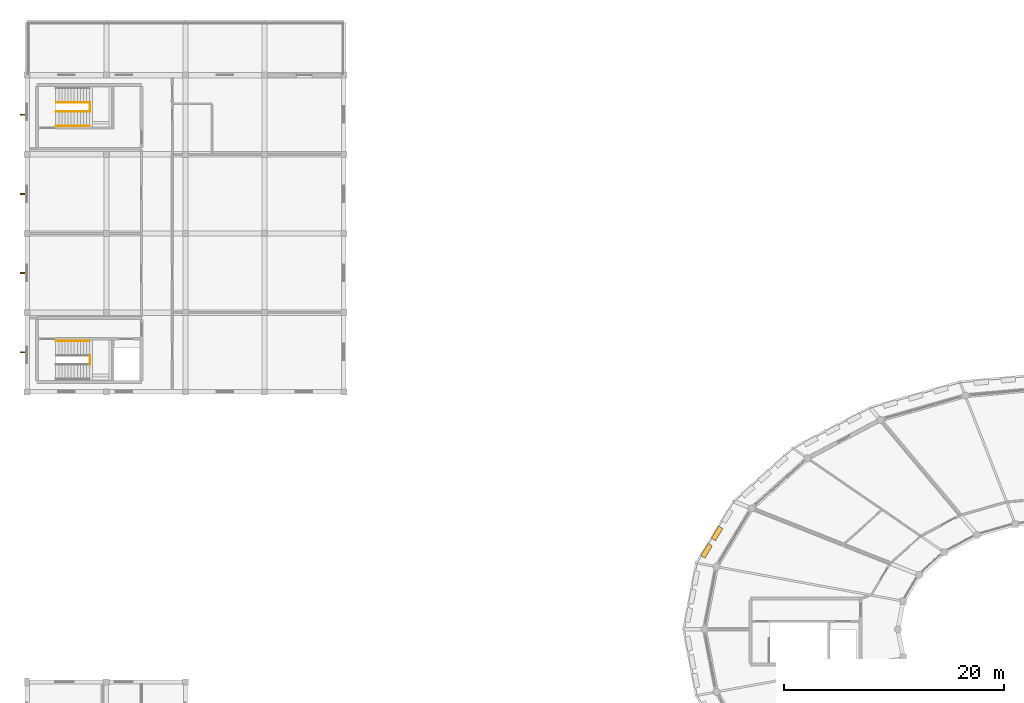
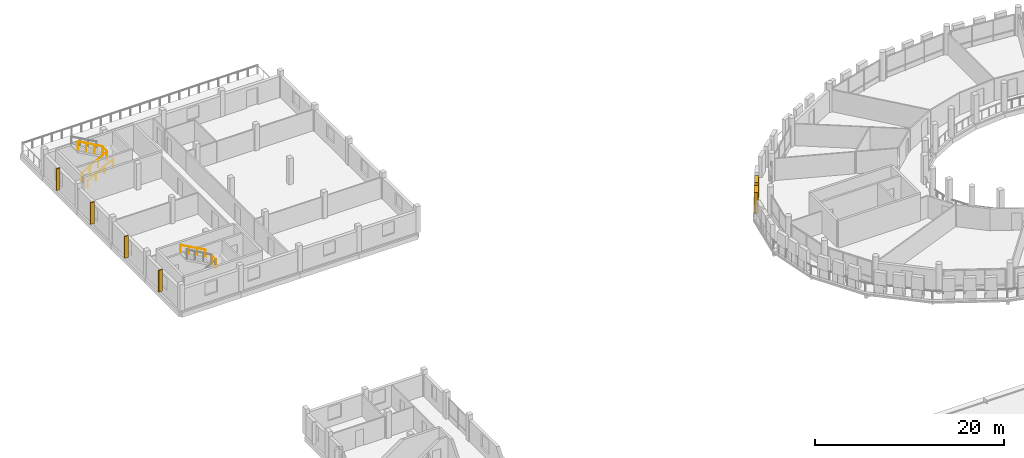
# One storey, part 82 of 84: 6 railings, 6 shading devices.
"""IFC4 building model written with IfcOpenShell, lengths in metres."""

import ifcopenshell
import ifcopenshell.guid

model = None  # the IFC model being written
_history = None  # IfcOwnerHistory: only IFC2X3 demands one
_inside = {}  # id of a spatial element -> (the spatial element, [elements in it])
_under = {}  # id of a project, library or spatial element -> (it, [spatial elements below it])
_declared = {}  # id of a project -> (the project, [libraries it declares])
_typed = {}  # id of a type object -> (the type object, [elements of that type])
_made_of = {}  # id of a material, layer set ... -> (it, [elements and type objects made of it])


def new_model(schema):
    """Start an empty IFC model of exactly this schema.

    Asked for "IFC4X3", IfcOpenShell would pick the latest addendum, in which some entities
    have other attributes; the version numbers below select the first issue.
    IFC2X3 requires an IfcOwnerHistory on every rooted entity: one is made here for all.
    """
    global model, _history
    if schema == "IFC4X3":
        model = ifcopenshell.file(schema_version=(4, 3, 0, 0))
    else:
        model = ifcopenshell.file(schema=schema)
    _inside.clear()
    _under.clear()
    _declared.clear()
    _typed.clear()
    _made_of.clear()
    _history = None
    if model.schema == "IFC2X3":
        org = make("IfcOrganization", Name="unknown")
        user = make(
            "IfcPersonAndOrganization",
            ThePerson=make("IfcPerson", FamilyName="unknown"),
            TheOrganization=org,
        )
        app = make(
            "IfcApplication",
            ApplicationDeveloper=org,
            Version="unknown",
            ApplicationFullName="unknown",
            ApplicationIdentifier="unknown",
        )
        _history = make(
            "IfcOwnerHistory",
            OwningUser=user,
            OwningApplication=app,
            ChangeAction="ADDED",
            CreationDate=0,
        )
    return model


def make(cls, **values):
    """One entity of the class cls with the attributes given. An attribute that is None is left unset."""
    return model.create_entity(
        cls, **{name: value for name, value in values.items() if value is not None}
    )


def rooted(cls, **values):
    """An entity with a GlobalId (a new one), such as an element, a storey or a relation."""
    return make(cls, GlobalId=ifcopenshell.guid.new(), OwnerHistory=_history, **values)


def si_unit(unit_type, name, prefix=None):
    """IfcSIUnit, for example si_unit("LENGTHUNIT", "METRE", prefix="MILLI")."""
    return make("IfcSIUnit", UnitType=unit_type, Prefix=prefix, Name=name)


def assignment(units):
    """IfcUnitAssignment: the units of a project."""
    return None if units is None else make("IfcUnitAssignment", Units=units)


def point(xyz):
    """IfcCartesianPoint."""
    return None if xyz is None else make("IfcCartesianPoint", Coordinates=xyz)


def direction(xyz):
    """IfcDirection."""
    return None if xyz is None else make("IfcDirection", DirectionRatios=xyz)


def frame(location, z_axis=None, x_axis=None):
    """IfcAxis2Placement3D, a coordinate frame: its origin and axes. An axis left out is left unset."""
    return make(
        "IfcAxis2Placement3D",
        Location=point(location),
        Axis=direction(z_axis),
        RefDirection=direction(x_axis),
    )


def frame_2d(location, x_axis=None):
    """IfcAxis2Placement2D, a coordinate frame in the plane: its origin and x axis."""
    return make(
        "IfcAxis2Placement2D", Location=point(location), RefDirection=direction(x_axis)
    )


def origin():
    """The frame at (0, 0, 0) with its axes left unset."""
    return frame((0.0, 0.0, 0.0))


def origin_2d():
    """The frame at (0, 0) in the plane with its x axis left unset."""
    return frame_2d((0.0, 0.0))


def place(relative_to, where):
    """IfcLocalPlacement: puts the frame where relative to a parent placement (None: the world)."""
    return make(
        "IfcLocalPlacement", PlacementRelTo=relative_to, RelativePlacement=where
    )


def context(
    kind, dimensions, precision=None, world=None, true_north=None, identifier=None
):
    """IfcGeometricRepresentationContext, for example the 3D "Model" context."""
    return make(
        "IfcGeometricRepresentationContext",
        ContextIdentifier=identifier,
        ContextType=kind,
        CoordinateSpaceDimension=dimensions,
        Precision=precision,
        WorldCoordinateSystem=world,
        TrueNorth=true_north,
    )


def subcontext(parent, identifier, kind, view, scale=None):
    """IfcGeometricRepresentationSubContext, for example "Body" below "Model"."""
    return make(
        "IfcGeometricRepresentationSubContext",
        ContextIdentifier=identifier,
        ContextType=kind,
        ParentContext=parent,
        TargetScale=scale,
        TargetView=view,
    )


def project(units=None, contexts=None):
    """IfcProject with its units and contexts."""
    return rooted(
        "IfcProject",
        Name="project",
        RepresentationContexts=contexts,
        UnitsInContext=assignment(units),
    )


def spatial(cls, under=None, at=None, **own):
    """A site, building, storey or space (cls), placed at a placement, below another one or the project."""
    s = rooted(cls, ObjectPlacement=at, **own)
    if under is not None:
        _under.setdefault(under.id(), (under, []))[1].append(s)
    return s


def profile(cls, at=None, kind="AREA", **sizes):
    """A parametric profile (cls). Its sizes go by their IFC names, for example OverallWidth=200.0."""
    return make(cls, ProfileType=kind, Position=at, **sizes)


def rectangle(**sizes):
    """IfcRectangleProfileDef."""
    return profile("IfcRectangleProfileDef", **sizes)


def circle(**sizes):
    """IfcCircleProfileDef."""
    return profile("IfcCircleProfileDef", **sizes)


def extrude(swept, where, along, depth):
    """IfcExtrudedAreaSolid: the profile swept, set in the frame where, extruded along a direction by depth."""
    return make(
        "IfcExtrudedAreaSolid",
        SweptArea=swept,
        Position=where,
        ExtrudedDirection=direction(along),
        Depth=depth,
    )


def shape(context_of_items, identifier, shape_type, items):
    """IfcShapeRepresentation: the items that make up one representation, for example the "Body"."""
    return make(
        "IfcShapeRepresentation",
        ContextOfItems=context_of_items,
        RepresentationIdentifier=identifier,
        RepresentationType=shape_type,
        Items=items,
    )


def material(Name=None, Category=None):
    """IfcMaterial."""
    return make("IfcMaterial", Name=Name, Category=Category)


def made_of(thing, what):
    """Note that an element or type object is made of a material, layer set ...; save() writes the relation."""
    if what is not None:
        _made_of.setdefault(what.id(), (what, []))[1].append(thing)
    return thing


def type_object(cls, material=None, **own):
    """A type object (cls), such as IfcWallType, which elements share."""
    return made_of(rooted(cls, **own), material)


def element(
    cls,
    number,
    at=None,
    inside=None,
    cuts=None,
    type_object=None,
    material=None,
    context=None,
    identifier="Body",
    shape_type=None,
    held_by="IfcProductDefinitionShape",
    body=None,
    shapes=None,
    **own,
):
    """One element of the class cls, such as IfcWall. Its Tag is "e" and its number.

    at: its placement. inside: the storey or other place that contains it. cuts: it is an
    opening in that element (IfcRelVoidsElement). A single representation is given by context,
    identifier, shape_type and body (its items); several are given by shapes. held_by: the class
    of the entity that holds the representations. save() writes the other relations.
    """
    e = rooted(cls, Tag="e%d" % number, ObjectPlacement=at, **own)
    if body is not None:
        shapes = [shape(context, identifier, shape_type, body)]
    if shapes is not None:
        e.Representation = make(held_by, Representations=shapes)
    if inside is not None:
        _inside.setdefault(inside.id(), (inside, []))[1].append(e)
    if cuts is not None:
        rooted(
            "IfcRelVoidsElement", RelatingBuildingElement=cuts, RelatedOpeningElement=e
        )
    if type_object is not None:
        _typed.setdefault(type_object.id(), (type_object, []))[1].append(e)
    return made_of(e, material)


def aggregate(whole, parts):
    """IfcRelAggregates: a whole, such as a stair, and the parts it consists of."""
    return rooted("IfcRelAggregates", RelatingObject=whole, RelatedObjects=parts)


def save(model, path):
    """Write the relations noted so far, then the file.

    IfcRelAggregates (storeys below a building ...), IfcRelContainedInSpatialStructure (elements
    in a storey), IfcRelDefinesByType, IfcRelAssociatesMaterial and IfcRelDeclares: one each for
    every whole, place, type object, material and project.
    """
    for whole, parts in _under.values():
        aggregate(whole, parts)
    for where, things in _inside.values():
        rooted(
            "IfcRelContainedInSpatialStructure",
            RelatedElements=things,
            RelatingStructure=where,
        )
    for kind, things in _typed.values():
        rooted("IfcRelDefinesByType", RelatedObjects=things, RelatingType=kind)
    for what, things in _made_of.values():
        rooted("IfcRelAssociatesMaterial", RelatedObjects=things, RelatingMaterial=what)
    for by, libraries in _declared.values():
        rooted("IfcRelDeclares", RelatingContext=by, RelatedDefinitions=libraries)
    model.write(path)


model = new_model("IFC4")

# Units and contexts
model_context = context("Model", 3, precision=1e-05, world=origin(), true_north=direction((0.0, 1.0)))
body_context = subcontext(model_context, "Body", "Model", "MODEL_VIEW")
ifc_project = project(units=[si_unit("LENGTHUNIT", "METRE"), si_unit("AREAUNIT", "SQUARE_METRE"), si_unit("VOLUMEUNIT", "CUBIC_METRE"), si_unit("PLANEANGLEUNIT", "RADIAN"), si_unit("MASSUNIT", "GRAM", prefix="KILO")], contexts=[model_context])

# Site, building, storey
site_placement = place(None, origin())
site = spatial("IfcSite", under=ifc_project, at=site_placement, CompositionType="ELEMENT")
building_placement = place(site_placement, origin())
building = spatial("IfcBuilding", under=site, at=building_placement, Name="Zornivar Specialist Clinic", CompositionType="ELEMENT")
storey_placement = place(building_placement, frame((0.0, 0.0, 12.300048828125)))
storey = spatial("IfcBuildingStorey", under=building, at=storey_placement, Name="L03", CompositionType="ELEMENT", Elevation=12.300048828125)

# Railings
ifc_material_1 = material(Name="Brushed Stainless Steel Stair Guardrail", Category="steel")
railing_type_1 = type_object("IfcRailingType", Name="GRD-INT-STAIR-1100", PredefinedType="GUARDRAIL", material=ifc_material_1)
railing_1_placement = place(storey_placement, frame((5.7099609375, 81.679931640625, 1.849853515625)))
element("IfcRailing", 1, at=railing_1_placement, inside=storey, type_object=railing_type_1, Name="stair:C7:L03:grdl", PredefinedType="GUARDRAIL", context=body_context, shape_type="SweptSolid", body=[
    extrude(circle(Radius=0.02392578125, at=origin_2d()), frame((0.0, 0.0, 1.076171875), z_axis=(0.0, 1.0, 0.0), x_axis=(-1.0, 0.0, 0.0)), (0.0, 0.0, 1.0), 0.840087890625),
    extrude(circle(Radius=0.02099609375, at=origin_2d()), origin(), (0.0, 0.0, 1.0), 1.052001953125),
    extrude(circle(Radius=0.02099609375, at=origin_2d()), frame((0.0, 0.840087890625, 0.0)), (0.0, 0.0, 1.0), 1.052001953125),
])
railing_2_placement = place(storey_placement, frame((2.639892578125, 104.679931640625, 0.154052734375)))
element("IfcRailing", 2, at=railing_2_placement, inside=storey, type_object=railing_type_1, Name="stair:C8:L03:grd1", PredefinedType="GUARDRAIL", context=body_context, shape_type="SweptSolid", body=[
    extrude(circle(Radius=0.02392578125, at=origin_2d()), frame((0.0, 0.0, 1.076171875), z_axis=(0.870544365607, 0.0, 0.492089938436), x_axis=(0.0, 1.0, 0.0)), (0.0, 0.0, 1.0), 3.446044921875),
    extrude(circle(Radius=0.02099609375, at=origin_2d()), origin(), (0.0, 0.0, 1.0), 1.052001953125),
    extrude(circle(Radius=0.02099609375, at=origin_2d()), frame((1.0, 0.0, 0.565185546875)), (0.0, 0.0, 1.0), 1.052001953125),
    extrude(circle(Radius=0.02099609375, at=origin_2d()), frame((2.0, 0.0, 1.130615234375)), (0.0, 0.0, 1.0), 1.052001953125),
    extrude(circle(Radius=0.02099609375, at=origin_2d()), frame((3.0, 0.0, 1.69580078125)), (0.0, 0.0, 1.0), 1.052001953125),
])
railing_3_placement = place(storey_placement, frame((5.639892578125, 105.52001953125, 2.00390625)))
element("IfcRailing", 3, at=railing_3_placement, inside=storey, type_object=railing_type_1, Name="stair:C8:L03:grd2", PredefinedType="GUARDRAIL", context=body_context, shape_type="SweptSolid", body=[
    extrude(circle(Radius=0.02392578125, at=origin_2d()), frame((0.0, 0.0, 1.076171875), z_axis=(-0.869096283189, 0.0, 0.49464295259), x_axis=(0.0, -1.0, 0.0)), (0.0, 0.0, 1.0), 3.4287109375),
    extrude(circle(Radius=0.02099609375, at=origin_2d()), origin(), (0.0, 0.0, 1.0), 1.052001953125),
    extrude(circle(Radius=0.02099609375, at=origin_2d()), frame((-0.993408203125, 0.0, 0.5654296875)), (0.0, 0.0, 1.0), 1.052001953125),
    extrude(circle(Radius=0.02099609375, at=origin_2d()), frame((-1.986572265625, 0.0, 1.130615234375)), (0.0, 0.0, 1.0), 1.052001953125),
    extrude(circle(Radius=0.02099609375, at=origin_2d()), frame((-2.97998046875, 0.0, 1.696044921875)), (0.0, 0.0, 1.0), 1.052001953125),
])
railing_4_placement = place(storey_placement, frame((5.7099609375, 104.679931640625, 1.849853515625)))
element("IfcRailing", 4, at=railing_4_placement, inside=storey, type_object=railing_type_1, Name="stair:C8:L03:grdl", PredefinedType="GUARDRAIL", context=body_context, shape_type="SweptSolid", body=[
    extrude(circle(Radius=0.02392578125, at=origin_2d()), frame((0.0, 0.0, 1.076171875), z_axis=(0.0, 1.0, 0.0), x_axis=(-1.0, 0.0, 0.0)), (0.0, 0.0, 1.0), 0.840087890625),
    extrude(circle(Radius=0.02099609375, at=origin_2d()), origin(), (0.0, 0.0, 1.0), 1.052001953125),
    extrude(circle(Radius=0.02099609375, at=origin_2d()), frame((0.0, 0.840087890625, 0.0)), (0.0, 0.0, 1.0), 1.052001953125),
])
ifc_material_2 = material(Name="Brushed Stainless Steel Continuous Handrail", Category="steel")
railing_type_2 = type_object("IfcRailingType", Name="HRL-STAIR-0920", PredefinedType="HANDRAIL", material=ifc_material_2)
railing_5_placement = place(storey_placement, frame((5.679931640625, 83.830078125, 2.00390625)))
element("IfcRailing", 5, at=railing_5_placement, inside=storey, type_object=railing_type_2, Name="stair:C7:L03:hr2", PredefinedType="HANDRAIL", context=body_context, shape_type="SweptSolid", body=[
    extrude(circle(Radius=0.02392578125, at=origin_2d()), frame((0.0, 0.0, 0.89599609375), z_axis=(-0.874624303793, 0.0, 0.484801327571), x_axis=(0.0, -1.0, 0.0)), (0.0, 0.0, 1.0), 3.49853515625),
    extrude(circle(Radius=0.02099609375, at=origin_2d()), origin(), (0.0, 0.0, 1.0), 0.871826171875),
    extrude(circle(Radius=0.02099609375, at=origin_2d()), frame((-1.02001953125, 0.0, 0.5654296875)), (0.0, 0.0, 1.0), 0.871826171875),
    extrude(circle(Radius=0.02099609375, at=origin_2d()), frame((-2.039794921875, 0.0, 1.130615234375)), (0.0, 0.0, 1.0), 0.871826171875),
    extrude(circle(Radius=0.02099609375, at=origin_2d()), frame((-3.059814453125, 0.0, 1.696044921875)), (0.0, 0.0, 1.0), 0.871826171875),
])
railing_6_placement = place(storey_placement, frame((2.60009765625, 103.3701171875, 0.154052734375)))
element("IfcRailing", 6, at=railing_6_placement, inside=storey, type_object=railing_type_2, Name="stair:C8:L03:hr1", PredefinedType="HANDRAIL", context=body_context, shape_type="SweptSolid", body=[
    extrude(circle(Radius=0.02392578125, at=origin_2d()), frame((0.0, 0.0, 0.89599609375), z_axis=(0.875988564427, 0.0, 0.482331872256), x_axis=(0.0, 1.0, 0.0)), (0.0, 0.0, 1.0), 3.515869140625),
    extrude(circle(Radius=0.02099609375, at=origin_2d()), origin(), (0.0, 0.0, 1.0), 0.871826171875),
    extrude(circle(Radius=0.02099609375, at=origin_2d()), frame((1.026611328125, 0.0, 0.565185546875)), (0.0, 0.0, 1.0), 0.871826171875),
    extrude(circle(Radius=0.02099609375, at=origin_2d()), frame((2.05322265625, 0.0, 1.130615234375)), (0.0, 0.0, 1.0), 0.871826171875),
    extrude(circle(Radius=0.02099609375, at=origin_2d()), frame((3.079833984375, 0.0, 1.69580078125)), (0.0, 0.0, 1.0), 0.871826171875),
])

# Shading devices
ifc_material_3 = material(Name="Oiled European Larch Timber Louvre Shutter", Category="wood")
shading_device_type_1 = type_object("IfcShadingDeviceType", Name="SHD-DRUM-SHUTTER-450", PredefinedType="SHUTTER", material=ifc_material_3)
for number, where, z_axis, x_axis, name in (
    (7, (62.743896484375, 66.319091796875, 0.0), (0.0, 0.0, 1.0), (-0.516018019467, -0.856577727696, 0.0), "shutter:V1:L03:c10:1"),
    (8, (61.7958984375, 64.743896484375, 0.0), (0.0, 0.0, 1.0), (-0.516018019467, -0.856577727696, 0.0), "shutter:V1:L03:c10:2"),
):
    element("IfcShadingDevice", number, at=place(storey_placement, frame(where, z_axis=z_axis, x_axis=x_axis)), inside=storey, type_object=shading_device_type_1, Name=name, PredefinedType="SHUTTER", context=body_context, shape_type="SweptSolid", body=[
        extrude(rectangle(XDim=1.300048828125, YDim=0.449951171875, at=origin_2d()), origin(), (0.0, 0.0, 1.0), 2.64990234375),
    ])
ifc_material_4 = material(Name="Oiled Larch and Bronze Solar Fin")
shading_device_type_2 = type_object("IfcShadingDeviceType", Name="SHD-FACADE-FIN-450", PredefinedType="JALOUSIE", material=ifc_material_4)
for number, where, z_axis, x_axis, name in (
    (9, (-0.425048828125, 104.39990234375, 0.2998046875), (0.0, 0.0, 1.0), (0.0, -1.0, 0.0), "fin:V5:L03:12"),
    (10, (-0.425048828125, 97.199951171875, 0.2998046875), (0.0, 0.0, 1.0), (0.0, -1.0, 0.0), "fin:V5:L03:13"),
    (11, (-0.425048828125, 90.0, 0.2998046875), (0.0, 0.0, 1.0), (0.0, -1.0, 0.0), "fin:V5:L03:14"),
    (12, (-0.425048828125, 82.800048828125, 0.2998046875), (0.0, 0.0, 1.0), (0.0, -1.0, 0.0), "fin:V5:L03:15"),
):
    element("IfcShadingDevice", number, at=place(storey_placement, frame(where, z_axis=z_axis, x_axis=x_axis)), inside=storey, type_object=shading_device_type_2, Name=name, PredefinedType="JALOUSIE", context=body_context, shape_type="SweptSolid", body=[
        extrude(rectangle(XDim=0.1201171875, YDim=0.449951171875, at=origin_2d()), origin(), (0.0, 0.0, 1.0), 2.800048828125),
    ])

save(model, "model.ifc")
